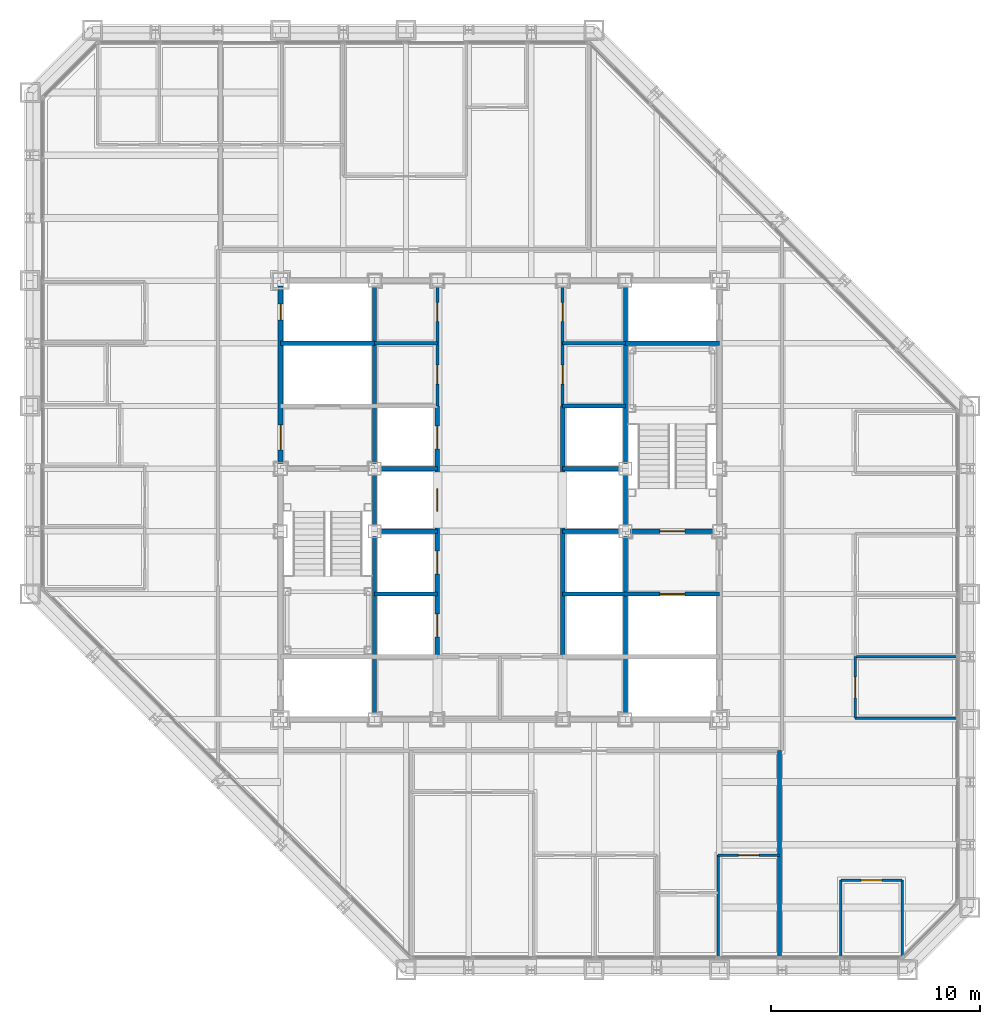
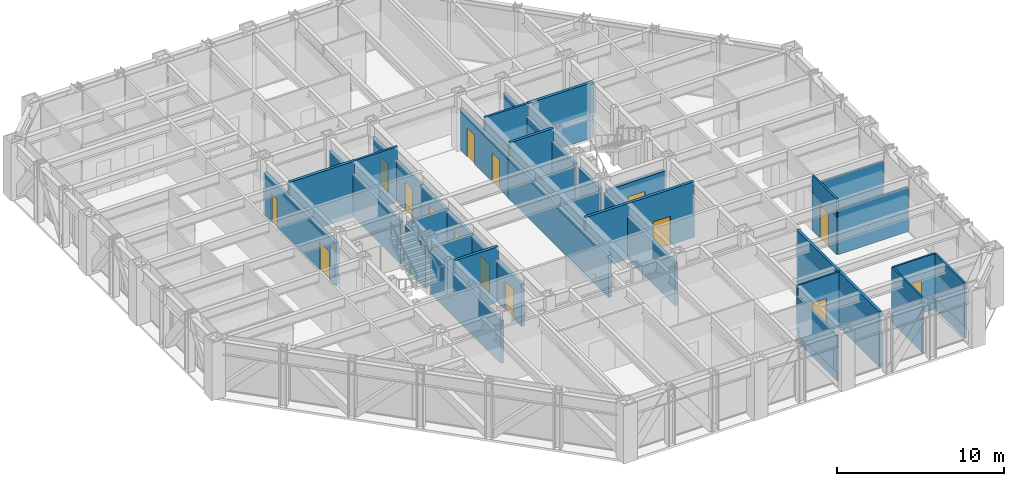
# One storey, part 11 of 16: 32 walls, 15 doors, 15 openings.
"""IFC4 building model written with IfcOpenShell, lengths in metres."""

from ifc_helpers import new_model, si_unit, direction, frame, frame_2d, origin, place, context, subcontext, project, spatial, rectangle, extrude, material, layer, layer_set, type_object, element, fill, save


model = new_model("IFC4")

# Units and contexts
model_context = context("Model", 3, precision=1e-05, world=origin(), true_north=direction((0.0, 1.0)))
body_context = subcontext(model_context, "Body", "Model", "MODEL_VIEW")
ifc_project = project(units=[si_unit("LENGTHUNIT", "METRE"), si_unit("AREAUNIT", "SQUARE_METRE"), si_unit("VOLUMEUNIT", "CUBIC_METRE"), si_unit("PLANEANGLEUNIT", "RADIAN"), si_unit("MASSUNIT", "GRAM", prefix="KILO")], contexts=[model_context])

# Site, building, storey
site_placement = place(None, origin())
site = spatial("IfcSite", under=ifc_project, at=site_placement, CompositionType="ELEMENT")
building_placement = place(site_placement, origin())
building = spatial("IfcBuilding", under=site, at=building_placement, Name="Chuquiago Exchange Tower", CompositionType="ELEMENT")
storey_placement = place(building_placement, frame((0.0, 0.0, 148.800048828125)))
storey = spatial("IfcBuildingStorey", under=building, at=storey_placement, Name="L32", CompositionType="ELEMENT", Elevation=148.800048828125)

# Wall, openings, doors
ifc_material_1 = material(Name="Concrete masonry, fully grouted", Category="masonry")
ifc_layer_1 = layer(ifc_material_1, 0.25)
ifc_layer_set_1 = layer_set([ifc_layer_1], Name="W1 core wall 250")
wall_type_1 = type_object("IfcWallType", Name="W1 core wall 250", PredefinedType="SOLIDWALL", material=ifc_layer_set_1)
wall_1_placement = place(storey_placement, frame((12.0, 24.25, 0.0), z_axis=(0.0, 0.0, 1.0), x_axis=(0.0, 1.0, 0.0)))
wall_1 = element("IfcWall", 1, at=wall_1_placement, inside=storey, type_object=wall_type_1, Name="CW-L32-00-2", PredefinedType="SOLIDWALL", context=body_context, shape_type="SweptSolid", body=[
    extrude(rectangle(XDim=8.5, YDim=0.25, at=frame_2d((4.25, 0.0))), origin(), (0.0, 0.0, 1.0), 3.11279296875),
])
opening_1_placement = place(wall_1_placement, frame((0.64990234375, 0.0, 0.0)))
opening_1 = element("IfcOpeningElement", 2, at=opening_1_placement, cuts=wall_1, Name="Opening L32-002", PredefinedType="OPENING", context=body_context, shape_type="SweptSolid", body=[
    extrude(rectangle(XDim=1.199951171875, YDim=2.10009765625, at=frame_2d((0.60009765625, 1.050048828125))), frame((0.0, 0.135009765625, 0.0), z_axis=(0.0, -1.0, 0.0), x_axis=(1.0, 0.0, 0.0)), (0.0, 0.0, 1.0), 0.27001953125),
])
opening_2_placement = place(wall_1_placement, frame((6.875, 0.0, 0.0)))
opening_2 = element("IfcOpeningElement", 3, at=opening_2_placement, cuts=wall_1, Name="Opening L32-008", PredefinedType="OPENING", context=body_context, shape_type="SweptSolid", body=[
    extrude(rectangle(XDim=0.75, YDim=2.10009765625, at=frame_2d((0.375, 1.050048828125))), frame((0.0, 0.135009765625, 0.0), z_axis=(0.0, -1.0, 0.0), x_axis=(1.0, 0.0, 0.0)), (0.0, 0.0, 1.0), 0.27001953125),
])
ifc_material_2 = material(Name="Steel door, painted", Category="steel")
door_type_1 = type_object("IfcDoorType", Name="D5 firefighting lobby door 1200x2100", OperationType="SINGLE_SWING_LEFT", PredefinedType="DOOR", material=ifc_material_2)
door_1_placement = place(opening_1_placement, frame((1.199951171875, 0.0, 0.0), z_axis=(0.0, 0.0, 1.0), x_axis=(-1.0, 0.0, 0.0)))
door_1 = element("IfcDoor", 4, at=door_1_placement, inside=storey, type_object=door_type_1, Name="Firefighting lobby 1 door", OperationType="SINGLE_SWING_RIGHT", OverallHeight=2.10009765625, OverallWidth=1.199951171875, PredefinedType="DOOR", context=body_context, shape_type="SweptSolid", body=[
    extrude(rectangle(XDim=1.199951171875, YDim=2.10009765625, at=frame_2d((0.60009765625, 1.050048828125))), frame((0.0, 0.02490234375, 0.0), z_axis=(0.0, -1.0, 0.0), x_axis=(1.0, 0.0, 0.0)), (0.0, 0.0, 1.0), 0.050048828125),
])
fill(opening_1, door_1)
ifc_material_3 = material(Name="Steel door, painted", Category="steel")
door_type_2 = type_object("IfcDoorType", Name="D6 riser access door 750x2100", OperationType="SINGLE_SWING_LEFT", PredefinedType="DOOR", material=ifc_material_3)
door_2_placement = place(opening_2_placement, origin())
door_2 = element("IfcDoor", 5, at=door_2_placement, inside=storey, type_object=door_type_2, Name="Riser RW2 door", OperationType="SINGLE_SWING_RIGHT", OverallHeight=2.10009765625, OverallWidth=0.75, PredefinedType="DOOR", context=body_context, shape_type="SweptSolid", body=[
    extrude(rectangle(XDim=0.75, YDim=2.10009765625, at=frame_2d((0.375, 1.050048828125))), frame((0.0, 0.02490234375, 0.0), z_axis=(0.0, -1.0, 0.0), x_axis=(1.0, 0.0, 0.0)), (0.0, 0.0, 1.0), 0.050048828125),
])
fill(opening_2, door_2)

# Walls
ifc_material_4 = material(Name="Gypsum board on twin steel studs, acoustic insulation", Category="steel")
ifc_layer_2 = layer(ifc_material_4, 0.175048828125)
ifc_layer_set_2 = layer_set([ifc_layer_2], Name="W12 tenant demising wall 175")
wall_type_2 = type_object("IfcWallType", Name="W12 tenant demising wall 175", PredefinedType="PARTITIONING", material=ifc_layer_set_2)
wall_2_placement = place(storey_placement, frame((35.875732421875, 0.652587890625, 0.0), z_axis=(0.0, 0.0, 1.0), x_axis=(0.0, 1.0, 0.0)))
element("IfcWall", 6, at=wall_2_placement, inside=storey, type_object=wall_type_2, Name="PW-L32-DS03588", PredefinedType="PARTITIONING", context=body_context, shape_type="SweptSolid", body=[
    extrude(rectangle(XDim=9.847412109375, YDim=0.175048828125, at=frame_2d((4.923828125, 0.0))), origin(), (0.0, 0.0, 1.0), 4.0400390625),
])
ifc_material_5 = material(Name="Concrete masonry, fully grouted", Category="masonry")
ifc_layer_3 = layer(ifc_material_5, 0.199951171875)
ifc_layer_set_3 = layer_set([ifc_layer_3], Name="W2 shaft wall 200")
wall_type_3 = type_object("IfcWallType", Name="W2 shaft wall 200", PredefinedType="SOLIDWALL", material=ifc_layer_set_3)
for number, where, z_axis, x_axis, name in (
    (7, (16.75, 24.0, 0.0), (0.0, 0.0, 1.0), (1.0, 0.0, 0.0), "CW-L32-05-1"),
    (8, (25.5, 24.0, 0.0), (0.0, 0.0, 1.0), (1.0, 0.0, 0.0), "CW-L32-06-0"),
):
    element("IfcWall", number, at=place(storey_placement, frame(where, z_axis=z_axis, x_axis=x_axis)), inside=storey, type_object=wall_type_3, Name=name, PredefinedType="SOLIDWALL", context=body_context, shape_type="SweptSolid", body=[
        extrude(rectangle(XDim=2.75, YDim=0.199951171875, at=frame_2d((1.375, 0.0))), origin(), (0.0, 0.0, 1.0), 3.08984375),
    ])
wall_3_placement = place(storey_placement, frame((25.5, 27.0, 0.0), z_axis=(0.0, 0.0, 1.0), x_axis=(1.0, 0.0, 0.0)))
element("IfcWall", 9, at=wall_3_placement, inside=storey, type_object=wall_type_3, Name="CW-L32-08-0", PredefinedType="SOLIDWALL", context=body_context, shape_type="SweptSolid", body=[
    extrude(rectangle(XDim=3.0, YDim=0.199951171875, at=frame_2d((1.5, 0.0))), origin(), (0.0, 0.0, 1.0), 4.0400390625),
])
for number, where, z_axis, x_axis, name in (
    (10, (12.0, 30.0, 0.0), (0.0, 0.0, 1.0), (1.0, 0.0, 0.0), "CW-L32-09-0"),
    (11, (28.5, 30.0, 0.0), (0.0, 0.0, 1.0), (1.0, 0.0, 0.0), "CW-L32-10-0"),
):
    element("IfcWall", number, at=place(storey_placement, frame(where, z_axis=z_axis, x_axis=x_axis)), inside=storey, type_object=wall_type_3, Name=name, PredefinedType="SOLIDWALL", context=body_context, shape_type="SweptSolid", body=[
        extrude(rectangle(XDim=4.5, YDim=0.199951171875, at=frame_2d((2.25, 0.0))), origin(), (0.0, 0.0, 1.0), 4.0400390625),
    ])
wall_4_placement = place(storey_placement, frame((16.5, 12.25, 0.0), z_axis=(0.0, 0.0, 1.0), x_axis=(0.0, 1.0, 0.0)))
element("IfcWall", 12, at=wall_4_placement, inside=storey, type_object=wall_type_3, Name="CW-L32-13-0", PredefinedType="SOLIDWALL", context=body_context, shape_type="SweptSolid", body=[
    extrude(rectangle(XDim=8.5, YDim=0.199951171875, at=frame_2d((4.25, 0.0))), origin(), (0.0, 0.0, 1.0), 3.11279296875),
])
wall_5_placement = place(storey_placement, frame((16.5, 21.25, 0.0), z_axis=(0.0, 0.0, 1.0), x_axis=(0.0, 1.0, 0.0)))
element("IfcWall", 13, at=wall_5_placement, inside=storey, type_object=wall_type_3, Name="CW-L32-13-1", PredefinedType="SOLIDWALL", context=body_context, shape_type="SweptSolid", body=[
    extrude(rectangle(XDim=2.5, YDim=0.199951171875, at=frame_2d((1.25, 0.0))), origin(), (0.0, 0.0, 1.0), 3.11279296875),
])
wall_6_placement = place(storey_placement, frame((16.5, 24.25, 0.0), z_axis=(0.0, 0.0, 1.0), x_axis=(0.0, 1.0, 0.0)))
element("IfcWall", 14, at=wall_6_placement, inside=storey, type_object=wall_type_3, Name="CW-L32-13-2", PredefinedType="SOLIDWALL", context=body_context, shape_type="SweptSolid", body=[
    extrude(rectangle(XDim=8.5, YDim=0.199951171875, at=frame_2d((4.25, 0.0))), origin(), (0.0, 0.0, 1.0), 3.11279296875),
])
wall_7_placement = place(storey_placement, frame((16.5, 18.0, 0.0), z_axis=(0.0, 0.0, 1.0), x_axis=(1.0, 0.0, 0.0)))
element("IfcWall", 15, at=wall_7_placement, inside=storey, type_object=wall_type_3, Name="CW-L32-14-0", PredefinedType="SOLIDWALL", context=body_context, shape_type="SweptSolid", body=[
    extrude(rectangle(XDim=3.0, YDim=0.199951171875, at=frame_2d((1.5, 0.0))), origin(), (0.0, 0.0, 1.0), 4.0400390625),
])

# Wall, opening, door
wall_8_placement = place(storey_placement, frame((25.5, 18.0, 0.0), z_axis=(0.0, 0.0, 1.0), x_axis=(1.0, 0.0, 0.0)))
wall_8 = element("IfcWall", 16, at=wall_8_placement, inside=storey, type_object=wall_type_3, Name="CW-L32-15-0", PredefinedType="SOLIDWALL", context=body_context, shape_type="SweptSolid", body=[
    extrude(rectangle(XDim=7.5, YDim=0.199951171875, at=frame_2d((3.75, 0.0))), origin(), (0.0, 0.0, 1.0), 4.0400390625),
])
opening_3_placement = place(wall_8_placement, frame((4.64990234375, 0.0, 0.0)))
opening_3 = element("IfcOpeningElement", 17, at=opening_3_placement, cuts=wall_8, Name="Opening L32-006", PredefinedType="OPENING", context=body_context, shape_type="SweptSolid", body=[
    extrude(rectangle(XDim=1.199951171875, YDim=2.10009765625, at=frame_2d((0.60009765625, 1.050048828125))), frame((0.0, 0.10986328125, 0.0), z_axis=(0.0, -1.0, 0.0), x_axis=(1.0, 0.0, 0.0)), (0.0, 0.0, 1.0), 0.219970703125),
])
ifc_material_6 = material(Name="Stainless steel lift landing door", Category="steel")
door_type_3 = type_object("IfcDoorType", Name="LD2 firefighting lift landing door 1200x2100", OperationType="DOUBLE_DOOR_SLIDING", PredefinedType="DOOR", material=ifc_material_6)
door_3_placement = place(opening_3_placement, origin())
door_3 = element("IfcDoor", 18, at=door_3_placement, inside=storey, type_object=door_type_3, Name="Firefighting lift FL2 landing door", OperationType="DOUBLE_DOOR_SLIDING", OverallHeight=2.10009765625, OverallWidth=1.199951171875, PredefinedType="DOOR", context=body_context, shape_type="SweptSolid", body=[
    extrude(rectangle(XDim=1.199951171875, YDim=2.10009765625, at=frame_2d((0.60009765625, 1.050048828125))), frame((0.0, 0.02490234375, 0.0), z_axis=(0.0, -1.0, 0.0), x_axis=(1.0, 0.0, 0.0)), (0.0, 0.0, 1.0), 0.050048828125),
])
fill(opening_3, door_3)

# Walls
for number, where, z_axis, x_axis, name in (
    (19, (16.75, 21.0, 0.0), (0.0, 0.0, 1.0), (1.0, 0.0, 0.0), "CW-L32-16-0"),
    (20, (25.5, 21.0, 0.0), (0.0, 0.0, 1.0), (1.0, 0.0, 0.0), "CW-L32-17-0"),
):
    element("IfcWall", number, at=place(storey_placement, frame(where, z_axis=z_axis, x_axis=x_axis)), inside=storey, type_object=wall_type_3, Name=name, PredefinedType="SOLIDWALL", context=body_context, shape_type="SweptSolid", body=[
        extrude(rectangle(XDim=2.75, YDim=0.199951171875, at=frame_2d((1.375, 0.0))), origin(), (0.0, 0.0, 1.0), 3.08984375),
    ])

# Wall, opening, door
wall_9_placement = place(storey_placement, frame((28.75, 21.0, 0.0), z_axis=(0.0, 0.0, 1.0), x_axis=(1.0, 0.0, 0.0)))
wall_9 = element("IfcWall", 21, at=wall_9_placement, inside=storey, type_object=wall_type_3, Name="CW-L32-17-1", PredefinedType="SOLIDWALL", context=body_context, shape_type="SweptSolid", body=[
    extrude(rectangle(XDim=4.0, YDim=0.199951171875, at=frame_2d((2.0, 0.0))), origin(), (0.0, 0.0, 1.0), 3.08984375),
])
opening_4_placement = place(wall_9_placement, frame((1.39990234375, 0.0, 0.0)))
opening_4 = element("IfcOpeningElement", 22, at=opening_4_placement, cuts=wall_9, Name="Opening L32-003", PredefinedType="OPENING", context=body_context, shape_type="SweptSolid", body=[
    extrude(rectangle(XDim=1.199951171875, YDim=2.10009765625, at=frame_2d((0.60009765625, 1.050048828125))), frame((0.0, 0.10986328125, 0.0), z_axis=(0.0, -1.0, 0.0), x_axis=(1.0, 0.0, 0.0)), (0.0, 0.0, 1.0), 0.219970703125),
])
ifc_material_7 = material(Name="Steel door, painted", Category="steel")
door_type_4 = type_object("IfcDoorType", Name="D4 stair door 1200x2100", OperationType="SINGLE_SWING_LEFT", PredefinedType="DOOR", material=ifc_material_7)
door_4_placement = place(opening_4_placement, origin())
door_4 = element("IfcDoor", 23, at=door_4_placement, inside=storey, type_object=door_type_4, Name="Stair ST2 door", OperationType="SINGLE_SWING_LEFT", OverallHeight=2.10009765625, OverallWidth=1.199951171875, PredefinedType="DOOR", context=body_context, shape_type="SweptSolid", body=[
    extrude(rectangle(XDim=1.199951171875, YDim=2.10009765625, at=frame_2d((0.60009765625, 1.050048828125))), frame((0.0, 0.02490234375, 0.0), z_axis=(0.0, -1.0, 0.0), x_axis=(1.0, 0.0, 0.0)), (0.0, 0.0, 1.0), 0.050048828125),
])
fill(opening_4, door_4)

# Wall, openings, doors
wall_10_placement = place(storey_placement, frame((19.5, 15.0, 0.0), z_axis=(0.0, 0.0, 1.0), x_axis=(0.0, 1.0, 0.0)))
wall_10 = element("IfcWall", 24, at=wall_10_placement, inside=storey, type_object=wall_type_3, Name="CW-L32-19-0", PredefinedType="SOLIDWALL", context=body_context, shape_type="SweptSolid", body=[
    extrude(rectangle(XDim=12.0, YDim=0.199951171875, at=frame_2d((6.0, 0.0))), origin(), (0.0, 0.0, 1.0), 3.064453125),
])
opening_5_placement = place(wall_10_placement, frame((0.949951171875, 0.0, 0.0)))
opening_5 = element("IfcOpeningElement", 25, at=opening_5_placement, cuts=wall_10, Name="Opening L32-017", PredefinedType="OPENING", context=body_context, shape_type="SweptSolid", body=[
    extrude(rectangle(XDim=1.10009765625, YDim=2.10009765625, at=frame_2d((0.550048828125, 1.050048828125))), frame((0.0, 0.10986328125, 0.0), z_axis=(0.0, -1.0, 0.0), x_axis=(1.0, 0.0, 0.0)), (0.0, 0.0, 1.0), 0.219970703125),
])
opening_6_placement = place(wall_10_placement, frame((3.949951171875, 0.0, 0.0)))
opening_6 = element("IfcOpeningElement", 26, at=opening_6_placement, cuts=wall_10, Name="Opening L32-018", PredefinedType="OPENING", context=body_context, shape_type="SweptSolid", body=[
    extrude(rectangle(XDim=1.10009765625, YDim=2.10009765625, at=frame_2d((0.550048828125, 1.050048828125))), frame((0.0, 0.10986328125, 0.0), z_axis=(0.0, -1.0, 0.0), x_axis=(1.0, 0.0, 0.0)), (0.0, 0.0, 1.0), 0.219970703125),
])
opening_7_placement = place(wall_10_placement, frame((6.949951171875, 0.0, 0.0)))
opening_7 = element("IfcOpeningElement", 27, at=opening_7_placement, cuts=wall_10, Name="Opening L32-019", PredefinedType="OPENING", context=body_context, shape_type="SweptSolid", body=[
    extrude(rectangle(XDim=1.10009765625, YDim=2.10009765625, at=frame_2d((0.550048828125, 1.050048828125))), frame((0.0, 0.10986328125, 0.0), z_axis=(0.0, -1.0, 0.0), x_axis=(1.0, 0.0, 0.0)), (0.0, 0.0, 1.0), 0.219970703125),
])
opening_8_placement = place(wall_10_placement, frame((9.949951171875, 0.0, 0.0)))
opening_8 = element("IfcOpeningElement", 28, at=opening_8_placement, cuts=wall_10, Name="Opening L32-020", PredefinedType="OPENING", context=body_context, shape_type="SweptSolid", body=[
    extrude(rectangle(XDim=1.10009765625, YDim=2.10009765625, at=frame_2d((0.550048828125, 1.050048828125))), frame((0.0, 0.10986328125, 0.0), z_axis=(0.0, -1.0, 0.0), x_axis=(1.0, 0.0, 0.0)), (0.0, 0.0, 1.0), 0.219970703125),
])
ifc_material_8 = material(Name="Stainless steel lift landing door", Category="steel")
door_type_5 = type_object("IfcDoorType", Name="LD1 lift landing door 1100x2100", OperationType="DOUBLE_DOOR_SLIDING", PredefinedType="DOOR", material=ifc_material_8)
door_5_placement = place(opening_5_placement, origin())
door_5 = element("IfcDoor", 29, at=door_5_placement, inside=storey, type_object=door_type_5, Name="Lift LB1 landing door", OperationType="DOUBLE_DOOR_SLIDING", OverallHeight=2.10009765625, OverallWidth=1.10009765625, PredefinedType="DOOR", context=body_context, shape_type="SweptSolid", body=[
    extrude(rectangle(XDim=1.10009765625, YDim=2.10009765625, at=frame_2d((0.550048828125, 1.050048828125))), frame((0.0, 0.02490234375, 0.0), z_axis=(0.0, -1.0, 0.0), x_axis=(1.0, 0.0, 0.0)), (0.0, 0.0, 1.0), 0.050048828125),
])
fill(opening_5, door_5)
door_6_placement = place(opening_6_placement, origin())
door_6 = element("IfcDoor", 30, at=door_6_placement, inside=storey, type_object=door_type_5, Name="Lift LB2 landing door", OperationType="DOUBLE_DOOR_SLIDING", OverallHeight=2.10009765625, OverallWidth=1.10009765625, PredefinedType="DOOR", context=body_context, shape_type="SweptSolid", body=[
    extrude(rectangle(XDim=1.10009765625, YDim=2.10009765625, at=frame_2d((0.550048828125, 1.050048828125))), frame((0.0, 0.02490234375, 0.0), z_axis=(0.0, -1.0, 0.0), x_axis=(1.0, 0.0, 0.0)), (0.0, 0.0, 1.0), 0.050048828125),
])
fill(opening_6, door_6)
door_7_placement = place(opening_7_placement, origin())
door_7 = element("IfcDoor", 31, at=door_7_placement, inside=storey, type_object=door_type_5, Name="Lift LB3 landing door", OperationType="DOUBLE_DOOR_SLIDING", OverallHeight=2.10009765625, OverallWidth=1.10009765625, PredefinedType="DOOR", context=body_context, shape_type="SweptSolid", body=[
    extrude(rectangle(XDim=1.10009765625, YDim=2.10009765625, at=frame_2d((0.550048828125, 1.050048828125))), frame((0.0, 0.02490234375, 0.0), z_axis=(0.0, -1.0, 0.0), x_axis=(1.0, 0.0, 0.0)), (0.0, 0.0, 1.0), 0.050048828125),
])
fill(opening_7, door_7)
door_8_placement = place(opening_8_placement, origin())
door_8 = element("IfcDoor", 32, at=door_8_placement, inside=storey, type_object=door_type_5, Name="Lift LB4 landing door", OperationType="DOUBLE_DOOR_SLIDING", OverallHeight=2.10009765625, OverallWidth=1.10009765625, PredefinedType="DOOR", context=body_context, shape_type="SweptSolid", body=[
    extrude(rectangle(XDim=1.10009765625, YDim=2.10009765625, at=frame_2d((0.550048828125, 1.050048828125))), frame((0.0, 0.02490234375, 0.0), z_axis=(0.0, -1.0, 0.0), x_axis=(1.0, 0.0, 0.0)), (0.0, 0.0, 1.0), 0.050048828125),
])
fill(opening_8, door_8)

# Walls
wall_11_placement = place(storey_placement, frame((25.5, 15.0, 0.0), z_axis=(0.0, 0.0, 1.0), x_axis=(0.0, 1.0, 0.0)))
element("IfcWall", 33, at=wall_11_placement, inside=storey, type_object=wall_type_3, Name="CW-L32-22-0", PredefinedType="SOLIDWALL", context=body_context, shape_type="SweptSolid", body=[
    extrude(rectangle(XDim=12.0, YDim=0.199951171875, at=frame_2d((6.0, 0.0))), origin(), (0.0, 0.0, 1.0), 3.064453125),
])
wall_12_placement = place(storey_placement, frame((28.5, 12.25, 0.0), z_axis=(0.0, 0.0, 1.0), x_axis=(0.0, 1.0, 0.0)))
element("IfcWall", 34, at=wall_12_placement, inside=storey, type_object=wall_type_3, Name="CW-L32-24-0", PredefinedType="SOLIDWALL", context=body_context, shape_type="SweptSolid", body=[
    extrude(rectangle(XDim=8.5, YDim=0.199951171875, at=frame_2d((4.25, 0.0))), origin(), (0.0, 0.0, 1.0), 3.11279296875),
])
wall_13_placement = place(storey_placement, frame((28.5, 21.25, 0.0), z_axis=(0.0, 0.0, 1.0), x_axis=(0.0, 1.0, 0.0)))
element("IfcWall", 35, at=wall_13_placement, inside=storey, type_object=wall_type_3, Name="CW-L32-24-1", PredefinedType="SOLIDWALL", context=body_context, shape_type="SweptSolid", body=[
    extrude(rectangle(XDim=2.5, YDim=0.199951171875, at=frame_2d((1.25, 0.0))), origin(), (0.0, 0.0, 1.0), 3.11279296875),
])
wall_14_placement = place(storey_placement, frame((28.5, 24.25, 0.0), z_axis=(0.0, 0.0, 1.0), x_axis=(0.0, 1.0, 0.0)))
element("IfcWall", 36, at=wall_14_placement, inside=storey, type_object=wall_type_3, Name="CW-L32-24-2", PredefinedType="SOLIDWALL", context=body_context, shape_type="SweptSolid", body=[
    extrude(rectangle(XDim=8.5, YDim=0.199951171875, at=frame_2d((4.25, 0.0))), origin(), (0.0, 0.0, 1.0), 3.11279296875),
])

# Wall, openings, doors
ifc_material_9 = material(Name="Gypsum board on steel studs", Category="steel")
ifc_layer_4 = layer(ifc_material_9, 0.14990234375)
ifc_layer_set_4 = layer_set([ifc_layer_4], Name="W3 core partition 150")
wall_type_4 = type_object("IfcWallType", Name="W3 core partition 150", PredefinedType="PARTITIONING", material=ifc_layer_set_4)
wall_15_placement = place(storey_placement, frame((19.5, 27.0, 0.0), z_axis=(0.0, 0.0, 1.0), x_axis=(0.0, 1.0, 0.0)))
wall_15 = element("IfcWall", 37, at=wall_15_placement, inside=storey, type_object=wall_type_4, Name="CW-L32-20-0", PredefinedType="PARTITIONING", context=body_context, shape_type="SweptSolid", body=[
    extrude(rectangle(XDim=5.75, YDim=0.14990234375, at=frame_2d((2.875, 0.0))), origin(), (0.0, 0.0, 1.0), 3.064453125),
])
opening_9_placement = place(wall_15_placement, frame((1.050048828125, 0.0, 0.0)))
opening_9 = element("IfcOpeningElement", 38, at=opening_9_placement, cuts=wall_15, Name="Opening L32-011", PredefinedType="OPENING", context=body_context, shape_type="SweptSolid", body=[
    extrude(rectangle(XDim=0.89990234375, YDim=2.10009765625, at=frame_2d((0.449951171875, 1.050048828125))), frame((0.0, 0.0849609375, 0.0), z_axis=(0.0, -1.0, 0.0), x_axis=(1.0, 0.0, 0.0)), (0.0, 0.0, 1.0), 0.169921875),
])
opening_10_placement = place(wall_15_placement, frame((4.050048828125, 0.0, 0.0)))
opening_10 = element("IfcOpeningElement", 39, at=opening_10_placement, cuts=wall_15, Name="Opening L32-012", PredefinedType="OPENING", context=body_context, shape_type="SweptSolid", body=[
    extrude(rectangle(XDim=0.89990234375, YDim=2.10009765625, at=frame_2d((0.449951171875, 1.050048828125))), frame((0.0, 0.0849609375, 0.0), z_axis=(0.0, -1.0, 0.0), x_axis=(1.0, 0.0, 0.0)), (0.0, 0.0, 1.0), 0.169921875),
])
ifc_material_10 = material(Name="Timber door, laminate faced", Category="wood")
door_type_6 = type_object("IfcDoorType", Name="D16 core room door 900x2100", OperationType="SINGLE_SWING_LEFT", PredefinedType="DOOR", material=ifc_material_10)
door_9_placement = place(opening_10_placement, origin())
door_9 = element("IfcDoor", 40, at=door_9_placement, inside=storey, type_object=door_type_6, Name="Staff shower room door", OperationType="SINGLE_SWING_RIGHT", OverallHeight=2.10009765625, OverallWidth=0.89990234375, PredefinedType="DOOR", context=body_context, shape_type="SweptSolid", body=[
    extrude(rectangle(XDim=0.89990234375, YDim=2.10009765625, at=frame_2d((0.449951171875, 1.050048828125))), frame((0.0, 0.02490234375, 0.0), z_axis=(0.0, -1.0, 0.0), x_axis=(1.0, 0.0, 0.0)), (0.0, 0.0, 1.0), 0.050048828125),
])
fill(opening_10, door_9)
ifc_material_11 = material(Name="Timber door, laminate faced", Category="wood")
door_type_7 = type_object("IfcDoorType", Name="D7 toilet door 900x2100", OperationType="SINGLE_SWING_LEFT", PredefinedType="DOOR", material=ifc_material_11)
door_10_placement = place(opening_9_placement, origin())
door_10 = element("IfcDoor", 41, at=door_10_placement, inside=storey, type_object=door_type_7, Name="Male WC door", OperationType="SINGLE_SWING_LEFT", OverallHeight=2.10009765625, OverallWidth=0.89990234375, PredefinedType="DOOR", context=body_context, shape_type="SweptSolid", body=[
    extrude(rectangle(XDim=0.89990234375, YDim=2.10009765625, at=frame_2d((0.449951171875, 1.050048828125))), frame((0.0, 0.02490234375, 0.0), z_axis=(0.0, -1.0, 0.0), x_axis=(1.0, 0.0, 0.0)), (0.0, 0.0, 1.0), 0.050048828125),
])
fill(opening_9, door_10)

wall_16_placement = place(storey_placement, frame((25.5, 27.0, 0.0), z_axis=(0.0, 0.0, 1.0), x_axis=(0.0, 1.0, 0.0)))
wall_16 = element("IfcWall", 42, at=wall_16_placement, inside=storey, type_object=wall_type_4, Name="CW-L32-23-0", PredefinedType="PARTITIONING", context=body_context, shape_type="SweptSolid", body=[
    extrude(rectangle(XDim=5.75, YDim=0.14990234375, at=frame_2d((2.875, 0.0))), origin(), (0.0, 0.0, 1.0), 3.064453125),
])
opening_11_placement = place(wall_16_placement, frame((1.050048828125, 0.0, 0.0)))
opening_11 = element("IfcOpeningElement", 43, at=opening_11_placement, cuts=wall_16, Name="Opening L32-013", PredefinedType="OPENING", context=body_context, shape_type="SweptSolid", body=[
    extrude(rectangle(XDim=0.89990234375, YDim=2.10009765625, at=frame_2d((0.449951171875, 1.050048828125))), frame((0.0, 0.0849609375, 0.0), z_axis=(0.0, -1.0, 0.0), x_axis=(1.0, 0.0, 0.0)), (0.0, 0.0, 1.0), 0.169921875),
])
opening_12_placement = place(wall_16_placement, frame((4.050048828125, 0.0, 0.0)))
opening_12 = element("IfcOpeningElement", 44, at=opening_12_placement, cuts=wall_16, Name="Opening L32-014", PredefinedType="OPENING", context=body_context, shape_type="SweptSolid", body=[
    extrude(rectangle(XDim=0.89990234375, YDim=2.10009765625, at=frame_2d((0.449951171875, 1.050048828125))), frame((0.0, 0.0849609375, 0.0), z_axis=(0.0, -1.0, 0.0), x_axis=(1.0, 0.0, 0.0)), (0.0, 0.0, 1.0), 0.169921875),
])
door_11_placement = place(opening_12_placement, frame((0.89990234375, 0.0, 0.0), z_axis=(0.0, 0.0, 1.0), x_axis=(-1.0, 0.0, 0.0)))
door_11 = element("IfcDoor", 45, at=door_11_placement, inside=storey, type_object=door_type_6, Name="Baby change room door", OperationType="SINGLE_SWING_LEFT", OverallHeight=2.10009765625, OverallWidth=0.89990234375, PredefinedType="DOOR", context=body_context, shape_type="SweptSolid", body=[
    extrude(rectangle(XDim=0.89990234375, YDim=2.10009765625, at=frame_2d((0.449951171875, 1.050048828125))), frame((0.0, 0.02490234375, 0.0), z_axis=(0.0, -1.0, 0.0), x_axis=(1.0, 0.0, 0.0)), (0.0, 0.0, 1.0), 0.050048828125),
])
fill(opening_12, door_11)
door_12_placement = place(opening_11_placement, frame((0.89990234375, 0.0, 0.0), z_axis=(0.0, 0.0, 1.0), x_axis=(-1.0, 0.0, 0.0)))
door_12 = element("IfcDoor", 46, at=door_12_placement, inside=storey, type_object=door_type_7, Name="Female WC door", OperationType="SINGLE_SWING_RIGHT", OverallHeight=2.10009765625, OverallWidth=0.89990234375, PredefinedType="DOOR", context=body_context, shape_type="SweptSolid", body=[
    extrude(rectangle(XDim=0.89990234375, YDim=2.10009765625, at=frame_2d((0.449951171875, 1.050048828125))), frame((0.0, 0.02490234375, 0.0), z_axis=(0.0, -1.0, 0.0), x_axis=(1.0, 0.0, 0.0)), (0.0, 0.0, 1.0), 0.050048828125),
])
fill(opening_11, door_12)

# Walls
for number, where, z_axis, x_axis, name in (
    (47, (16.5, 30.0, 0.0), (0.0, 0.0, 1.0), (1.0, 0.0, 0.0), "CW-L32-WCMS"),
    (48, (25.5, 30.0, 0.0), (0.0, 0.0, 1.0), (1.0, 0.0, 0.0), "CW-L32-WCFS"),
):
    element("IfcWall", number, at=place(storey_placement, frame(where, z_axis=z_axis, x_axis=x_axis)), inside=storey, type_object=wall_type_4, Name=name, PredefinedType="PARTITIONING", context=body_context, shape_type="SweptSolid", body=[
        extrude(rectangle(XDim=3.0, YDim=0.14990234375, at=frame_2d((1.5, 0.0))), origin(), (0.0, 0.0, 1.0), 4.0400390625),
    ])
ifc_material_12 = material(Name="Gypsum board on steel studs", Category="steel")
ifc_layer_5 = layer(ifc_material_12, 0.1201171875)
ifc_layer_set_5 = layer_set([ifc_layer_5], Name="W4 partition 120")
wall_type_5 = type_object("IfcWallType", Name="W4 partition 120", PredefinedType="PARTITIONING", material=ifc_layer_set_5)
wall_17_placement = place(storey_placement, frame((32.93798828125, 0.652587890625, 0.0), z_axis=(0.0, 0.0, 1.0), x_axis=(0.0, 1.0, 0.0)))
element("IfcWall", 49, at=wall_17_placement, inside=storey, type_object=wall_type_5, Name="PW-L32-S03294", PredefinedType="PARTITIONING", context=body_context, shape_type="SweptSolid", body=[
    extrude(rectangle(XDim=4.847412109375, YDim=0.1201171875, at=frame_2d((2.423828125, 0.0))), origin(), (0.0, 0.0, 1.0), 3.270263671875),
])
wall_18_placement = place(storey_placement, frame((38.813720703125, 0.652587890625, 0.0), z_axis=(0.0, 0.0, 1.0), x_axis=(0.0, 1.0, 0.0)))
element("IfcWall", 50, at=wall_18_placement, inside=storey, type_object=wall_type_5, Name="PW-L32-S03881", PredefinedType="PARTITIONING", context=body_context, shape_type="SweptSolid", body=[
    extrude(rectangle(XDim=3.6474609375, YDim=0.1201171875, at=frame_2d((1.82373046875, 0.0))), origin(), (0.0, 0.0, 1.0), 4.0400390625),
])
wall_19_placement = place(storey_placement, frame((41.75146484375, 0.666015625, 0.0), z_axis=(0.0, 0.0, 1.0), x_axis=(0.0, 1.0, 0.0)))
element("IfcWall", 51, at=wall_19_placement, inside=storey, type_object=wall_type_5, Name="PW-L32-S04175", PredefinedType="PARTITIONING", context=body_context, shape_type="SweptSolid", body=[
    extrude(rectangle(XDim=3.634033203125, YDim=0.1201171875, at=frame_2d((1.81689453125, 0.0))), origin(), (0.0, 0.0, 1.0), 4.0400390625),
])

# Wall, opening, door
wall_20_placement = place(storey_placement, frame((32.93798828125, 5.5, 0.0), z_axis=(0.0, 0.0, 1.0), x_axis=(1.0, 0.0, 0.0)))
wall_20 = element("IfcWall", 52, at=wall_20_placement, inside=storey, type_object=wall_type_5, Name="PW-L32-SF03294", PredefinedType="PARTITIONING", context=body_context, shape_type="SweptSolid", body=[
    extrude(rectangle(XDim=2.937744140625, YDim=0.1201171875, at=frame_2d((1.46875, 0.0))), origin(), (0.0, 0.0, 1.0), 4.0400390625),
])
opening_13_placement = place(wall_20_placement, frame((0.968994140625, 0.0, 0.0)))
opening_13 = element("IfcOpeningElement", 53, at=opening_13_placement, cuts=wall_20, Name="Opening L32-025", PredefinedType="OPENING", context=body_context, shape_type="SweptSolid", body=[
    extrude(rectangle(XDim=1.0, YDim=2.39990234375, at=frame_2d((0.5, 1.199951171875))), frame((0.0, 0.070068359375, 0.0), z_axis=(0.0, -1.0, 0.0), x_axis=(1.0, 0.0, 0.0)), (0.0, 0.0, 1.0), 0.14013671875),
])
ifc_material_13 = material(Name="Timber door, laminate faced", Category="wood")
door_type_8 = type_object("IfcDoorType", Name="D9 room door 1000x2400", OperationType="SINGLE_SWING_LEFT", PredefinedType="DOOR", material=ifc_material_13)
door_13_placement = place(opening_13_placement, frame((1.0, 0.0, 0.0), z_axis=(0.0, 0.0, 1.0), x_axis=(-1.0, 0.0, 0.0)))
door_13 = element("IfcDoor", 54, at=door_13_placement, inside=storey, type_object=door_type_8, Name="Office door", OperationType="SINGLE_SWING_LEFT", OverallHeight=2.39990234375, OverallWidth=1.0, PredefinedType="DOOR", context=body_context, shape_type="SweptSolid", body=[
    extrude(rectangle(XDim=1.0, YDim=2.39990234375, at=frame_2d((0.5, 1.199951171875))), frame((0.0, 0.02490234375, 0.0), z_axis=(0.0, -1.0, 0.0), x_axis=(1.0, 0.0, 0.0)), (0.0, 0.0, 1.0), 0.050048828125),
])
fill(opening_13, door_13)

wall_21_placement = place(storey_placement, frame((38.813720703125, 4.300048828125, 0.0), z_axis=(0.0, 0.0, 1.0), x_axis=(1.0, 0.0, 0.0)))
wall_21 = element("IfcWall", 55, at=wall_21_placement, inside=storey, type_object=wall_type_5, Name="PW-L32-SF03881", PredefinedType="PARTITIONING", context=body_context, shape_type="SweptSolid", body=[
    extrude(rectangle(XDim=2.937744140625, YDim=0.1201171875, at=frame_2d((1.46875, 0.0))), origin(), (0.0, 0.0, 1.0), 4.0400390625),
])
opening_14_placement = place(wall_21_placement, frame((0.968994140625, 0.0, 0.0)))
opening_14 = element("IfcOpeningElement", 56, at=opening_14_placement, cuts=wall_21, Name="Opening L32-026", PredefinedType="OPENING", context=body_context, shape_type="SweptSolid", body=[
    extrude(rectangle(XDim=1.0, YDim=2.39990234375, at=frame_2d((0.5, 1.199951171875))), frame((0.0, 0.070068359375, 0.0), z_axis=(0.0, -1.0, 0.0), x_axis=(1.0, 0.0, 0.0)), (0.0, 0.0, 1.0), 0.14013671875),
])
door_14_placement = place(opening_14_placement, frame((1.0, 0.0, 0.0), z_axis=(0.0, 0.0, 1.0), x_axis=(-1.0, 0.0, 0.0)))
door_14 = element("IfcDoor", 57, at=door_14_placement, inside=storey, type_object=door_type_8, Name="Pantry door", OperationType="SINGLE_SWING_RIGHT", OverallHeight=2.39990234375, OverallWidth=1.0, PredefinedType="DOOR", context=body_context, shape_type="SweptSolid", body=[
    extrude(rectangle(XDim=1.0, YDim=2.39990234375, at=frame_2d((0.5, 1.199951171875))), frame((0.0, 0.02490234375, 0.0), z_axis=(0.0, -1.0, 0.0), x_axis=(1.0, 0.0, 0.0)), (0.0, 0.0, 1.0), 0.050048828125),
])
fill(opening_14, door_14)

# Walls
wall_22_placement = place(storey_placement, frame((44.347412109375, 12.06201171875, 0.0), z_axis=(0.0, 0.0, 1.0), x_axis=(-1.0, 0.0, 0.0)))
element("IfcWall", 58, at=wall_22_placement, inside=storey, type_object=wall_type_5, Name="PW-L32-E01206", PredefinedType="PARTITIONING", context=body_context, shape_type="SweptSolid", body=[
    extrude(rectangle(XDim=4.847412109375, YDim=0.1201171875, at=frame_2d((2.423828125, 0.0))), origin(), (0.0, 0.0, 1.0), 3.270263671875),
])
wall_23_placement = place(storey_placement, frame((44.347412109375, 15.0, 0.0), z_axis=(0.0, 0.0, 1.0), x_axis=(-1.0, 0.0, 0.0)))
element("IfcWall", 59, at=wall_23_placement, inside=storey, type_object=wall_type_5, Name="PW-L32-E01500", PredefinedType="PARTITIONING", context=body_context, shape_type="SweptSolid", body=[
    extrude(rectangle(XDim=4.847412109375, YDim=0.1201171875, at=frame_2d((2.423828125, 0.0))), origin(), (0.0, 0.0, 1.0), 3.356689453125),
])

# Wall, opening, door
wall_24_placement = place(storey_placement, frame((39.5, 12.06201171875, 0.0), z_axis=(0.0, 0.0, 1.0), x_axis=(0.0, 1.0, 0.0)))
wall_24 = element("IfcWall", 60, at=wall_24_placement, inside=storey, type_object=wall_type_5, Name="PW-L32-EF01206", PredefinedType="PARTITIONING", context=body_context, shape_type="SweptSolid", body=[
    extrude(rectangle(XDim=2.93798828125, YDim=0.1201171875, at=frame_2d((1.468994140625, 0.0))), origin(), (0.0, 0.0, 1.0), 4.0400390625),
])
opening_15_placement = place(wall_24_placement, frame((0.968994140625, 0.0, 0.0)))
opening_15 = element("IfcOpeningElement", 61, at=opening_15_placement, cuts=wall_24, Name="Opening L32-027", PredefinedType="OPENING", context=body_context, shape_type="SweptSolid", body=[
    extrude(rectangle(XDim=1.0, YDim=2.39990234375, at=frame_2d((0.5, 1.199951171875))), frame((0.0, 0.070068359375, 0.0), z_axis=(0.0, -1.0, 0.0), x_axis=(1.0, 0.0, 0.0)), (0.0, 0.0, 1.0), 0.14013671875),
])
door_15_placement = place(opening_15_placement, frame((1.0, 0.0, 0.0), z_axis=(0.0, 0.0, 1.0), x_axis=(-1.0, 0.0, 0.0)))
door_15 = element("IfcDoor", 62, at=door_15_placement, inside=storey, type_object=door_type_8, Name="Office door", OperationType="SINGLE_SWING_LEFT", OverallHeight=2.39990234375, OverallWidth=1.0, PredefinedType="DOOR", context=body_context, shape_type="SweptSolid", body=[
    extrude(rectangle(XDim=1.0, YDim=2.39990234375, at=frame_2d((0.5, 1.199951171875))), frame((0.0, 0.02490234375, 0.0), z_axis=(0.0, -1.0, 0.0), x_axis=(1.0, 0.0, 0.0)), (0.0, 0.0, 1.0), 0.050048828125),
])
fill(opening_15, door_15)

save(model, "model.ifc")
